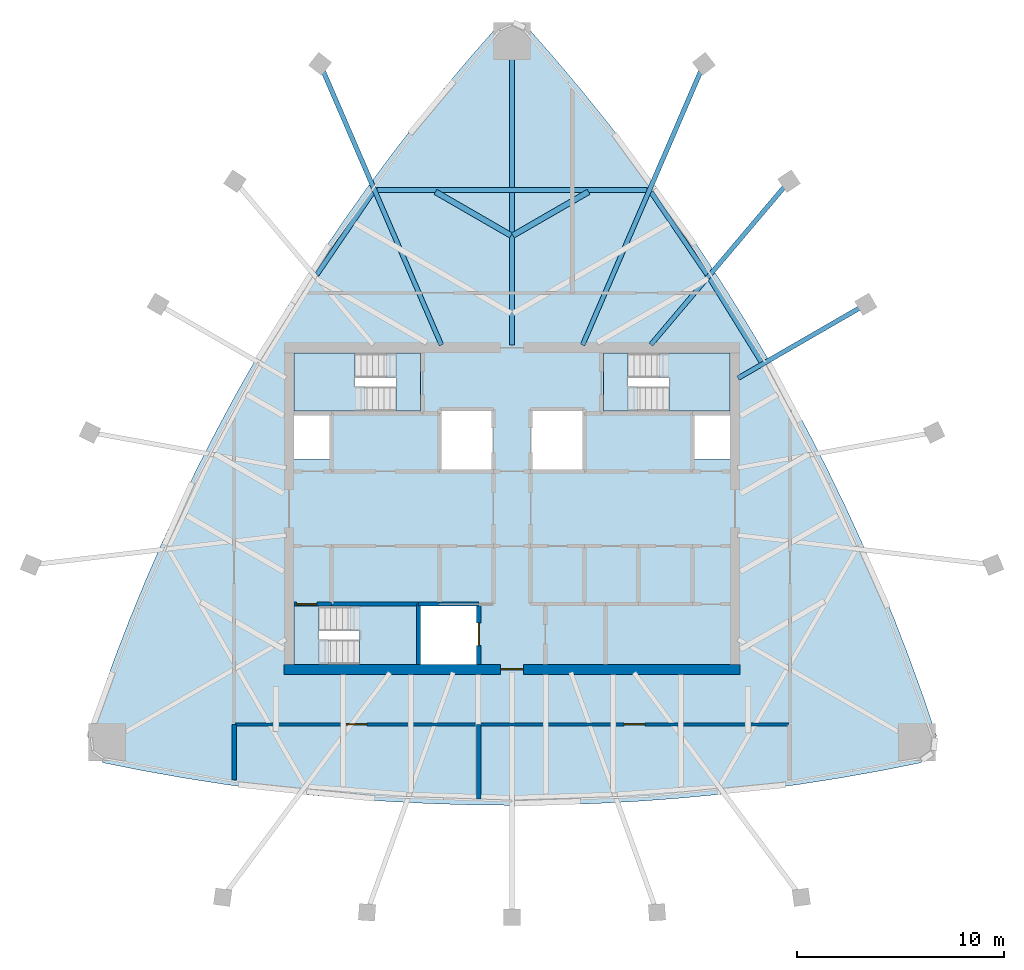
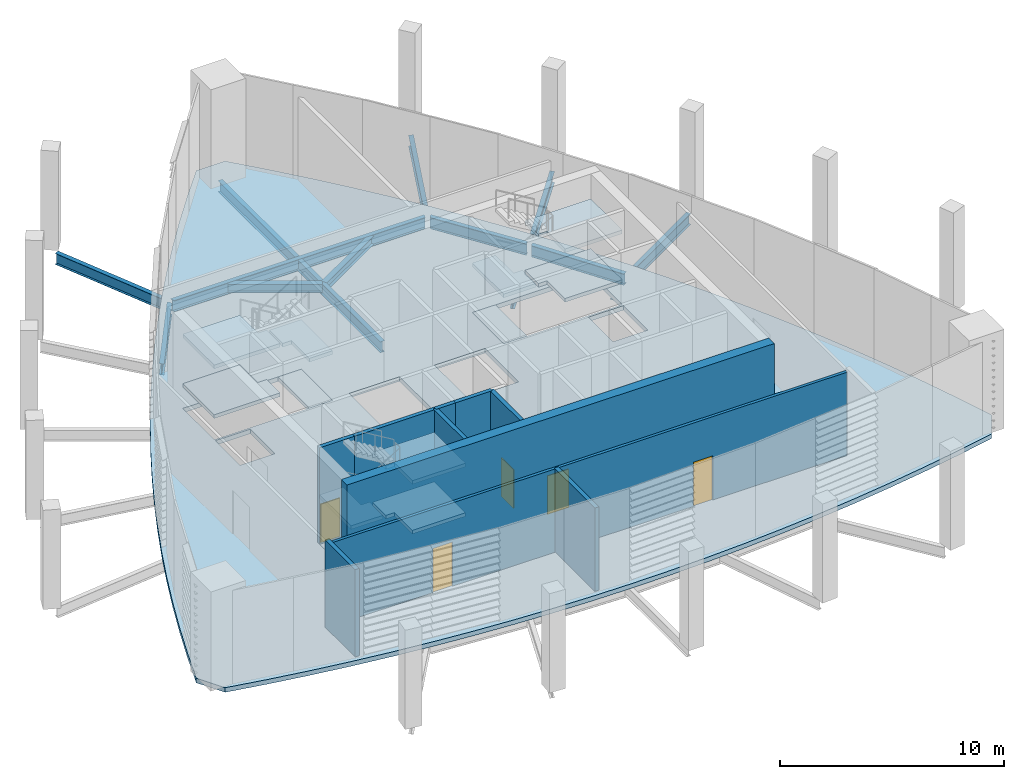
# One storey, part 2 of 8: 13 slabs, 11 beams, 10 walls, 5 doors, 5 openings, 3 elements without a shape of their own.
"""IFC4 building model written with IfcOpenShell, lengths in metres."""

from ifc_helpers import new_model, si_unit, direction, frame, frame_2d, origin, origin_2d, place, context, subcontext, project, spatial, polyline, rectangle, i_section, outline, extrude, clip, halfspace, material, layer, layer_set, material_profile, profile_set, type_object, element, fill, aggregate, save


model = new_model("IFC4")

# Units and contexts
model_context = context("Model", 3, precision=1e-05, world=origin(), true_north=direction((0.0, 1.0)))
body_context = subcontext(model_context, "Body", "Model", "MODEL_VIEW")
ifc_project = project(units=[si_unit("LENGTHUNIT", "METRE"), si_unit("AREAUNIT", "SQUARE_METRE"), si_unit("VOLUMEUNIT", "CUBIC_METRE"), si_unit("PLANEANGLEUNIT", "RADIAN"), si_unit("MASSUNIT", "GRAM", prefix="KILO")], contexts=[model_context])

# Site, building, storey
site_placement = place(None, origin())
site = spatial("IfcSite", under=ifc_project, at=site_placement, CompositionType="ELEMENT")
building_placement = place(site_placement, origin())
building = spatial("IfcBuilding", under=site, at=building_placement, Name="Sierra Prisma Convention Tower", CompositionType="ELEMENT")
storey_placement = place(building_placement, frame((0.0, 0.0, 350.199951171875)))
storey = spatial("IfcBuildingStorey", under=building, at=storey_placement, Name="L78", CompositionType="ELEMENT", Elevation=350.199951171875)

# Beams
ifc_material_1 = material(Name="Steel ASTM A992 Gr 50", Category="steel")
ifc_material_profile_1 = material_profile(ifc_material_1, i_section(OverallWidth=0.280029296875, OverallDepth=0.462890625, WebThickness=0.0107421875, FlangeThickness=0.017333984375, at=origin_2d()), Name="W460x113")
ifc_profile_set_1 = profile_set([ifc_material_profile_1], Name="Steel ASTM A992 Gr 50")
beam_type_1 = type_object("IfcBeamType", Name="Plant floor joist W460x113", PredefinedType="JOIST", material=ifc_profile_set_1)
for number, where, z_axis, x_axis, name in (
    (1, (3.689208984375, 15.27392578125, -0.4814453125), (-0.866034836963, -0.4999836609, 0.0), (0.4999836609, -0.866034836963, 0.0), "Floor joist L78 NE10"),
    (2, (-3.689208984375, 15.27392578125, -0.4814453125), (0.866034836963, -0.4999836609, 0.0), (0.4999836609, 0.866034836963, 0.0), "Floor joist L78 NW03"),
):
    element("IfcBeam", number, at=place(storey_placement, frame(where, z_axis=z_axis, x_axis=x_axis)), inside=storey, type_object=beam_type_1, Name=name, PredefinedType="JOIST", context=body_context, shape_type="SweptSolid", body=[
        extrude(i_section(OverallWidth=0.280029296875, OverallDepth=0.462890625, WebThickness=0.0107421875, FlangeThickness=0.017333984375, at=origin_2d()), origin(), (0.0, 0.0, 1.0), 4.207275390625),
    ])
ifc_material_2 = material(Name="Steel ASTM A992 Gr 50", Category="steel")
ifc_material_profile_2 = material_profile(ifc_material_2, i_section(OverallWidth=0.22802734375, OverallDepth=0.60302734375, WebThickness=0.010498046875, FlangeThickness=0.014892578125, at=origin_2d()), Name="W610x101")
ifc_profile_set_2 = profile_set([ifc_material_profile_2], Name="Steel ASTM A992 Gr 50")
beam_type_2 = type_object("IfcBeamType", Name="Radial girder W610x101", PredefinedType="BEAM", material=ifc_profile_set_2)
beam_1_placement = place(storey_placement, frame((16.818115234375, 9.7099609375, -0.551513671875), z_axis=(-0.866022087412, -0.500005744082, 0.0), x_axis=(0.500005744082, -0.866022087412, 0.0)))
element("IfcBeam", 3, at=beam_1_placement, inside=storey, type_object=beam_type_2, Name="Radial girder L78 PC-NE-3", PredefinedType="BEAM", context=body_context, shape_type="SweptSolid", body=[
    extrude(i_section(OverallWidth=0.22802734375, OverallDepth=0.60302734375, WebThickness=0.010498046875, FlangeThickness=0.014892578125, at=origin_2d()), origin(), (0.0, 0.0, 1.0), 6.83837890625),
])
beam_2_placement = place(storey_placement, frame((13.16552734375, 15.555908203125, -0.551513671875), z_axis=(-0.646028534804, -0.76331325956, 0.0), x_axis=(0.76331325956, -0.646028534804, 0.0)))
element("IfcBeam", 4, at=beam_2_placement, inside=storey, type_object=beam_type_2, Name="Radial girder L78 PC-NE-4", PredefinedType="BEAM", context=body_context, shape_type="SweptSolid", body=[
    extrude(i_section(OverallWidth=0.22802734375, OverallDepth=0.60302734375, WebThickness=0.010498046875, FlangeThickness=0.014892578125, at=origin_2d()), origin(), (0.0, 0.0, 1.0), 10.018798828125),
])
beam_3_placement = place(storey_placement, frame((9.117919921875, 21.13427734375, -0.551513671875), z_axis=(-0.396140636376, -0.918189847587, 0.0), x_axis=(0.918189847587, -0.396140636376, 0.0)))
element("IfcBeam", 5, at=beam_3_placement, inside=storey, type_object=beam_type_2, Name="Radial girder L78 PC-NE-5", PredefinedType="BEAM", context=body_context, shape_type="SweptSolid", body=[
    extrude(i_section(OverallWidth=0.22802734375, OverallDepth=0.60302734375, WebThickness=0.010498046875, FlangeThickness=0.014892578125, at=origin_2d()), origin(), (0.0, 0.0, 1.0), 14.424560546875),
])
beam_4_placement = place(storey_placement, frame((0.0, 22.3525390625, -0.551513671875), z_axis=(0.0, -1.0, 0.0), x_axis=(1.0, 0.0, 0.0)))
element("IfcBeam", 6, at=beam_4_placement, inside=storey, type_object=beam_type_2, Name="Radial girder L78 MC-N", PredefinedType="BEAM", context=body_context, shape_type="SweptSolid", body=[
    extrude(i_section(OverallWidth=0.22802734375, OverallDepth=0.60302734375, WebThickness=0.010498046875, FlangeThickness=0.014892578125, at=origin_2d()), origin(), (0.0, 0.0, 1.0), 14.47265625),
])
beam_5_placement = place(storey_placement, frame((-9.117919921875, 21.13427734375, -0.551513671875), z_axis=(0.396140636376, -0.918189847587, 0.0), x_axis=(0.918189847587, 0.396140636376, 0.0)))
element("IfcBeam", 7, at=beam_5_placement, inside=storey, type_object=beam_type_2, Name="Radial girder L78 PC-NW-1", PredefinedType="BEAM", context=body_context, shape_type="SweptSolid", body=[
    extrude(i_section(OverallWidth=0.22802734375, OverallDepth=0.60302734375, WebThickness=0.010498046875, FlangeThickness=0.014892578125, at=origin_2d()), origin(), (0.0, 0.0, 1.0), 14.424560546875),
])
ifc_material_3 = material(Name="Steel ASTM A992 Gr 50", Category="steel")
ifc_material_profile_3 = material_profile(ifc_material_3, i_section(OverallWidth=0.22998046875, OverallDepth=0.616943359375, WebThickness=0.01318359375, FlangeThickness=0.022216796875, at=origin_2d()), Name="W610x140")
ifc_profile_set_3 = profile_set([ifc_material_profile_3], Name="Steel ASTM A992 Gr 50")
beam_type_3 = type_object("IfcBeamType", Name="Spandrel beam W610x140", PredefinedType="BEAM", material=ifc_profile_set_3)
beam_6_placement = place(storey_placement, frame((12.026123046875, 7.0634765625, -0.558349609375), z_axis=(-0.526719564314, 0.850039117082, 0.0), x_axis=(-0.850039117082, -0.526719564314, 0.0)))
element("IfcBeam", 8, at=beam_6_placement, inside=storey, type_object=beam_type_3, Name="Crown edge beam L78-09", PredefinedType="BEAM", context=body_context, shape_type="SweptSolid", body=[
    clip(clip(extrude(i_section(OverallWidth=0.22998046875, OverallDepth=0.616943359375, WebThickness=0.01318359375, FlangeThickness=0.022216796875, at=origin_2d()), origin(), (0.0, 0.0, 1.0), 4.74365234375), halfspace(frame((-0.00341796875, 0.0, 0.009765625), z_axis=(-0.031132953279, 0.0, 0.99951525212), x_axis=(0.99951525212, 0.0, 0.031132953279)), True)), halfspace(frame((-0.03515625, 0.0, 4.7451171875), z_axis=(-0.3085775596, 0.0, -0.951199185088), x_axis=(0.951199185088, 0.0, -0.3085775596)), True)),
])
beam_7_placement = place(storey_placement, frame((9.40869140625, 11.278564453125, -0.558349609375), z_axis=(-0.562628854747, 0.826709605488, 0.0), x_axis=(-0.826709605488, -0.562628854747, 0.0)))
element("IfcBeam", 9, at=beam_7_placement, inside=storey, type_object=beam_type_3, Name="Crown edge beam L78-10", PredefinedType="BEAM", context=body_context, shape_type="SweptSolid", body=[
    clip(clip(extrude(i_section(OverallWidth=0.22998046875, OverallDepth=0.616943359375, WebThickness=0.01318359375, FlangeThickness=0.022216796875, at=origin_2d()), origin(), (0.0, 0.0, 1.0), 4.816650390625), halfspace(frame((0.0302734375, 0.0, 0.00146484375), z_axis=(0.267571502455, 0.0, 0.963538007073), x_axis=(0.963538007073, 0.0, -0.267571502455)), True)), halfspace(frame((-0.061279296875, 0.0, 4.845458984375), z_axis=(-0.536204519273, 0.0, -0.844088095824), x_axis=(0.844088095824, 0.0, -0.536204519273)), True)),
])
beam_8_placement = place(storey_placement, frame((6.51416015625, 15.364013671875, -0.558349609375), z_axis=(-1.0, 0.0, 0.0), x_axis=(0.0, -1.0, 0.0)))
element("IfcBeam", 10, at=beam_8_placement, inside=storey, type_object=beam_type_3, Name="Crown edge beam L78-11", PredefinedType="BEAM", context=body_context, shape_type="SweptSolid", body=[
    clip(clip(extrude(i_section(OverallWidth=0.22998046875, OverallDepth=0.616943359375, WebThickness=0.01318359375, FlangeThickness=0.022216796875, at=origin_2d()), origin(), (0.0, 0.0, 1.0), 13.0283203125), halfspace(frame((-0.045166015625, 0.0, -0.009521484375), z_axis=(-0.396131602107, 0.0, 0.918193745248), x_axis=(0.918193745248, 0.0, 0.396131602107)), True)), halfspace(frame((-0.045166015625, 0.0, 13.037841796875), z_axis=(-0.396131602107, 0.0, -0.918193745248), x_axis=(0.918193745248, 0.0, -0.396131602107)), True)),
])
beam_9_placement = place(storey_placement, frame((-6.69873046875, 15.260498046875, -0.558349609375), z_axis=(-0.562628854747, -0.826709605488, 0.0), x_axis=(0.826709605488, -0.562628854747, 0.0)))
element("IfcBeam", 11, at=beam_9_placement, inside=storey, type_object=beam_type_3, Name="Crown edge beam L78-12", PredefinedType="BEAM", context=body_context, shape_type="SweptSolid", body=[
    clip(clip(extrude(i_section(OverallWidth=0.22998046875, OverallDepth=0.616943359375, WebThickness=0.01318359375, FlangeThickness=0.022216796875, at=origin_2d()), origin(), (0.0, 0.0, 1.0), 4.816650390625), halfspace(frame((-0.061279296875, 0.0, -0.02880859375), z_axis=(-0.536204519273, 0.0, 0.844088095824), x_axis=(0.844088095824, 0.0, 0.536204519273)), True)), halfspace(frame((0.0302734375, 0.0, 4.815185546875), z_axis=(0.267571502455, 0.0, -0.963538007073), x_axis=(0.963538007073, 0.0, 0.267571502455)), True)),
])

# Slab
ifc_material_4 = material(Name="Concrete C35/45", Category="concrete")
ifc_layer_1 = layer(ifc_material_4, 0.25)
ifc_layer_set_1 = layer_set([ifc_layer_1], Name="Convention floor slab 250")
slab_type_1 = type_object("IfcSlabType", Name="Convention floor slab 250", PredefinedType="FLOOR", material=ifc_layer_set_1)
slab_1_placement = place(storey_placement, frame((0.0, 0.0, -0.25)))
element("IfcSlab", 12, at=slab_1_placement, inside=storey, type_object=slab_type_1, Name="Floor slab L78 floor", PredefinedType="FLOOR", context=body_context, shape_type="SweptSolid", body=[
    extrude(outline(polyline([(-19.719970703125, -12.244873046875), (-17.772216796875, -12.634033203125), (-15.81689453125, -12.98291015625), (-13.854736328125, -13.291015625), (-11.88671875, -13.558349609375), (-9.913330078125, -13.784912109375), (-7.935791015625, -13.97021484375), (-5.954833984375, -14.114501953125), (-3.971435546875, -14.217529296875), (-1.986083984375, -14.279296875), (0.0, -14.300048828125), (1.986083984375, -14.279296875), (3.971435546875, -14.217529296875), (5.954833984375, -14.114501953125), (7.935791015625, -13.97021484375), (9.913330078125, -13.784912109375), (11.88671875, -13.558349609375), (13.854736328125, -13.291015625), (15.81689453125, -12.98291015625), (17.772216796875, -12.634033203125), (19.719970703125, -12.244873046875), (20.46435546875, -10.95556640625), (19.82763671875, -9.07421875), (19.152099609375, -7.206298828125), (18.437744140625, -5.35302734375), (17.685302734375, -3.514892578125), (16.894775390625, -1.69287109375), (16.06640625, 0.112548828125), (15.200927734375, 1.900146484375), (14.29833984375, 3.66943359375), (13.359375, 5.419677734375), (12.38427734375, 7.14990234375), (11.373291015625, 8.859619140625), (10.3271484375, 10.548095703125), (9.24609375, 12.21435546875), (8.130615234375, 13.857666015625), (6.981201171875, 15.4775390625), (5.798583984375, 17.0732421875), (4.5830078125, 18.64404296875), (3.335205078125, 20.189453125), (2.055419921875, 21.708251953125), (0.744384765625, 23.200439453125), (-0.744384765625, 23.200439453125), (-2.055419921875, 21.708251953125), (-3.335205078125, 20.189453125), (-4.5830078125, 18.64404296875), (-5.798583984375, 17.0732421875), (-6.981201171875, 15.4775390625), (-8.130615234375, 13.857666015625), (-9.24609375, 12.21435546875), (-10.3271484375, 10.548095703125), (-11.373291015625, 8.859619140625), (-12.38427734375, 7.14990234375), (-13.359375, 5.419677734375), (-14.29833984375, 3.66943359375), (-15.200927734375, 1.900146484375), (-16.06640625, 0.112548828125), (-16.894775390625, -1.69287109375), (-17.685302734375, -3.514892578125), (-18.437744140625, -5.35302734375), (-19.152099609375, -7.206298828125), (-19.82763671875, -9.07421875), (-20.46435546875, -10.95556640625), (-19.719970703125, -12.244873046875)]), holes=[polyline([(-4.60009765625, -4.699951171875), (-4.60009765625, -7.5), (-10.5, -7.5), (-10.5, -4.699951171875), (-4.60009765625, -4.699951171875)]), polyline([(-1.60009765625, -4.60009765625), (-1.60009765625, -7.5), (-4.5, -7.5), (-4.5, -4.60009765625), (-1.60009765625, -4.60009765625)]), polyline([(-0.89990234375, 4.800048828125), (-0.89990234375, 1.800048828125), (-3.5, 1.800048828125), (-3.5, 4.800048828125), (-0.89990234375, 4.800048828125)]), polyline([(3.5, 4.800048828125), (3.5, 1.800048828125), (0.89990234375, 1.800048828125), (0.89990234375, 4.800048828125), (3.5, 4.800048828125)]), polyline([(-8.699951171875, 4.60009765625), (-8.699951171875, 2.39990234375), (-10.5, 2.39990234375), (-10.5, 4.60009765625), (-8.699951171875, 4.60009765625)]), polyline([(10.5, 4.60009765625), (10.5, 2.39990234375), (8.699951171875, 2.39990234375), (8.699951171875, 4.60009765625), (10.5, 4.60009765625)]), polyline([(-4.39990234375, 7.5), (-4.39990234375, 4.699951171875), (-10.5, 4.699951171875), (-10.5, 7.5), (-4.39990234375, 7.5)]), polyline([(10.5, 7.5), (10.5, 4.699951171875), (4.39990234375, 4.699951171875), (4.39990234375, 7.5), (10.5, 7.5)])]), origin(), (0.0, 0.0, 1.0), 0.25),
])

# Stair, slabs
ifc_material_5 = material(Name="Concrete C30/37", Category="concrete")
stair_type = type_object("IfcStairType", Name="Stair dog-leg 1200 RC", PredefinedType="HALF_TURN_STAIR", material=ifc_material_5)
stair_1_placement = place(storey_placement, origin())
stair_1 = element("IfcStair", 13, at=stair_1_placement, inside=storey, type_object=stair_type, Name="L78 S1", PredefinedType="HALF_TURN_STAIR")
ifc_material_6 = material(Name="Concrete C35/45", Category="concrete")
ifc_layer_2 = layer(ifc_material_6, 0.199951171875)
ifc_layer_set_2 = layer_set([ifc_layer_2], Name="Stair landing slab")
slab_type_2 = type_object("IfcSlabType", Name="Stair landing slab", PredefinedType="LANDING", material=ifc_layer_set_2)
slab_2_placement = place(storey_placement, frame((0.0, 0.0, 1.150146484375)))
slab_2 = element("IfcSlab", 14, at=slab_2_placement, type_object=slab_type_2, Name="S1 landing 1", PredefinedType="LANDING", context=body_context, shape_type="SweptSolid", body=[
    extrude(outline(polyline([(-4.60009765625, -4.699951171875), (-4.60009765625, -7.5), (-7.342041015625, -7.5), (-7.342041015625, -5.89990234375), (-7.7900390625, -5.89990234375), (-7.7900390625, -4.699951171875), (-4.60009765625, -4.699951171875)])), origin(), (0.0, 0.0, 1.0), 0.199951171875),
])
slab_3_placement = place(storey_placement, frame((0.0, 0.0, 2.5)))
slab_3 = element("IfcSlab", 15, at=slab_3_placement, type_object=slab_type_2, Name="S1 landing 2", PredefinedType="LANDING", context=body_context, shape_type="SweptSolid", body=[
    extrude(outline(polyline([(-10.5, -7.5), (-10.5, -4.699951171875), (-9.298095703125, -4.699951171875), (-9.298095703125, -6.300048828125), (-8.85009765625, -6.300048828125), (-8.85009765625, -7.5), (-10.5, -7.5)])), origin(), (0.0, 0.0, 1.0), 0.199951171875),
])
slab_4_placement = place(storey_placement, frame((0.0, 0.0, 3.85009765625)))
slab_4 = element("IfcSlab", 16, at=slab_4_placement, type_object=slab_type_2, Name="S1 landing 3", PredefinedType="LANDING", context=body_context, shape_type="SweptSolid", body=[
    extrude(outline(polyline([(-4.60009765625, -4.699951171875), (-4.60009765625, -7.5), (-7.342041015625, -7.5), (-7.342041015625, -5.89990234375), (-7.7900390625, -5.89990234375), (-7.7900390625, -4.699951171875), (-4.60009765625, -4.699951171875)])), origin(), (0.0, 0.0, 1.0), 0.199951171875),
])
aggregate(stair_1, [slab_2, slab_3, slab_4])

# Slab
slab_5_placement = place(storey_placement, frame((0.0, 0.0, -0.199951171875)))
element("IfcSlab", 17, at=slab_5_placement, inside=storey, type_object=slab_type_2, Name="S1 floor landing L78", PredefinedType="LANDING", context=body_context, shape_type="SweptSolid", body=[
    extrude(outline(polyline([(-10.5, -7.5), (-9.298095703125, -7.5), (-9.298095703125, -4.699951171875), (-10.5, -4.699951171875), (-10.5, -7.5)])), origin(), (0.0, 0.0, 1.0), 0.199951171875),
])

# Stair, slabs
stair_2_placement = place(storey_placement, origin())
stair_2 = element("IfcStair", 18, at=stair_2_placement, inside=storey, type_object=stair_type, Name="L78 S3", PredefinedType="HALF_TURN_STAIR")
slab_6_placement = place(storey_placement, frame((0.0, 0.0, 1.150146484375)))
slab_6 = element("IfcSlab", 19, at=slab_6_placement, type_object=slab_type_2, Name="S3 landing 1", PredefinedType="LANDING", context=body_context, shape_type="SweptSolid", body=[
    extrude(outline(polyline([(-7.110107421875, 5.89990234375), (-7.110107421875, 4.699951171875), (-10.5, 4.699951171875), (-10.5, 7.5), (-7.55810546875, 7.5), (-7.55810546875, 5.89990234375), (-7.110107421875, 5.89990234375)])), origin(), (0.0, 0.0, 1.0), 0.199951171875),
])
slab_7_placement = place(storey_placement, frame((0.0, 0.0, 2.5)))
slab_7 = element("IfcSlab", 20, at=slab_7_placement, type_object=slab_type_2, Name="S3 landing 2", PredefinedType="LANDING", context=body_context, shape_type="SweptSolid", body=[
    extrude(outline(polyline([(-4.39990234375, 7.5), (-4.39990234375, 4.699951171875), (-5.60205078125, 4.699951171875), (-5.60205078125, 6.300048828125), (-6.050048828125, 6.300048828125), (-6.050048828125, 7.5), (-4.39990234375, 7.5)])), origin(), (0.0, 0.0, 1.0), 0.199951171875),
])
slab_8_placement = place(storey_placement, frame((0.0, 0.0, 3.85009765625)))
slab_8 = element("IfcSlab", 21, at=slab_8_placement, type_object=slab_type_2, Name="S3 landing 3", PredefinedType="LANDING", context=body_context, shape_type="SweptSolid", body=[
    extrude(outline(polyline([(-7.110107421875, 5.89990234375), (-7.110107421875, 4.699951171875), (-10.5, 4.699951171875), (-10.5, 7.5), (-7.55810546875, 7.5), (-7.55810546875, 5.89990234375), (-7.110107421875, 5.89990234375)])), origin(), (0.0, 0.0, 1.0), 0.199951171875),
])
aggregate(stair_2, [slab_6, slab_7, slab_8])

# Slab
slab_9_placement = place(storey_placement, frame((0.0, 0.0, -0.199951171875)))
element("IfcSlab", 22, at=slab_9_placement, inside=storey, type_object=slab_type_2, Name="S3 floor landing L78", PredefinedType="LANDING", context=body_context, shape_type="SweptSolid", body=[
    extrude(outline(polyline([(-4.39990234375, 7.5), (-5.60205078125, 7.5), (-5.60205078125, 4.699951171875), (-4.39990234375, 4.699951171875), (-4.39990234375, 7.5)])), origin(), (0.0, 0.0, 1.0), 0.199951171875),
])

# Stair, slabs
stair_3_placement = place(storey_placement, origin())
stair_3 = element("IfcStair", 23, at=stair_3_placement, inside=storey, type_object=stair_type, Name="L78 S4", PredefinedType="HALF_TURN_STAIR")
slab_10_placement = place(storey_placement, frame((0.0, 0.0, 1.150146484375)))
slab_10 = element("IfcSlab", 24, at=slab_10_placement, type_object=slab_type_2, Name="S4 landing 1", PredefinedType="LANDING", context=body_context, shape_type="SweptSolid", body=[
    extrude(outline(polyline([(10.5, 7.5), (10.5, 4.699951171875), (7.55810546875, 4.699951171875), (7.55810546875, 6.300048828125), (7.110107421875, 6.300048828125), (7.110107421875, 7.5), (10.5, 7.5)])), origin(), (0.0, 0.0, 1.0), 0.199951171875),
])
slab_11_placement = place(storey_placement, frame((0.0, 0.0, 2.5)))
slab_11 = element("IfcSlab", 25, at=slab_11_placement, type_object=slab_type_2, Name="S4 landing 2", PredefinedType="LANDING", context=body_context, shape_type="SweptSolid", body=[
    extrude(outline(polyline([(4.39990234375, 4.699951171875), (4.39990234375, 7.5), (5.60205078125, 7.5), (5.60205078125, 5.89990234375), (6.050048828125, 5.89990234375), (6.050048828125, 4.699951171875), (4.39990234375, 4.699951171875)])), origin(), (0.0, 0.0, 1.0), 0.199951171875),
])
slab_12_placement = place(storey_placement, frame((0.0, 0.0, 3.85009765625)))
slab_12 = element("IfcSlab", 26, at=slab_12_placement, type_object=slab_type_2, Name="S4 landing 3", PredefinedType="LANDING", context=body_context, shape_type="SweptSolid", body=[
    extrude(outline(polyline([(10.5, 7.5), (10.5, 4.699951171875), (7.55810546875, 4.699951171875), (7.55810546875, 6.300048828125), (7.110107421875, 6.300048828125), (7.110107421875, 7.5), (10.5, 7.5)])), origin(), (0.0, 0.0, 1.0), 0.199951171875),
])
aggregate(stair_3, [slab_10, slab_11, slab_12])

# Slab
slab_13_placement = place(storey_placement, frame((0.0, 0.0, -0.199951171875)))
element("IfcSlab", 27, at=slab_13_placement, inside=storey, type_object=slab_type_2, Name="S4 floor landing L78", PredefinedType="LANDING", context=body_context, shape_type="SweptSolid", body=[
    extrude(outline(polyline([(4.39990234375, 4.699951171875), (5.60205078125, 4.699951171875), (5.60205078125, 7.5), (4.39990234375, 7.5), (4.39990234375, 4.699951171875)])), origin(), (0.0, 0.0, 1.0), 0.199951171875),
])

# Wall, opening, door
ifc_material_7 = material(Name="Concrete C30/37", Category="concrete")
ifc_layer_3 = layer(ifc_material_7, 0.199951171875)
ifc_layer_set_3 = layer_set([ifc_layer_3], Name="Core wall RC 200 C30/37")
wall_type_1 = type_object("IfcWallType", Name="Core wall RC 200 C30/37", PredefinedType="SOLIDWALL", material=ifc_layer_set_3)
wall_1_placement = place(storey_placement, frame((-10.5, -4.60009765625, 0.0), z_axis=(0.0, 0.0, 1.0), x_axis=(1.0, 0.0, 0.0)))
wall_1 = element("IfcWall", 28, at=wall_1_placement, inside=storey, type_object=wall_type_1, Name="Core wall L78 1", PredefinedType="SOLIDWALL", context=body_context, shape_type="SweptSolid", body=[
    extrude(rectangle(XDim=1.800048828125, YDim=0.199951171875, at=frame_2d((0.89990234375, 0.0))), origin(), (0.0, 0.0, 1.0), 5.25),
])
opening_1_placement = place(wall_1_placement, frame((0.10009765625, 0.0, 0.0)))
opening_1 = element("IfcOpeningElement", 29, at=opening_1_placement, cuts=wall_1, Name="Opening L78-D011", PredefinedType="OPENING", context=body_context, shape_type="SweptSolid", body=[
    extrude(rectangle(XDim=1.0, YDim=2.10009765625, at=frame_2d((0.5, 1.050048828125))), frame((0.0, 0.10009765625, 0.0), z_axis=(0.0, -1.0, 0.0), x_axis=(1.0, 0.0, 0.0)), (0.0, 0.0, 1.0), 0.199951171875),
])
ifc_material_8 = material(Name="Steel fire door leaf", Category="steel")
door_type_1 = type_object("IfcDoorType", Name="Door 1000x2100 FD90S", OperationType="SINGLE_SWING_LEFT", PredefinedType="DOOR", material=ifc_material_8)
door_1_placement = place(opening_1_placement, origin())
door_1 = element("IfcDoor", 30, at=door_1_placement, inside=storey, type_object=door_type_1, Name="Door L78 17", OperationType="SINGLE_SWING_LEFT", OverallHeight=2.10009765625, OverallWidth=1.0, PredefinedType="DOOR", context=body_context, shape_type="SweptSolid", body=[
    extrude(rectangle(XDim=1.0, YDim=2.10009765625, at=frame_2d((0.5, 1.050048828125))), frame((0.0, 0.02490234375, 0.0), z_axis=(0.0, -1.0, 0.0), x_axis=(1.0, 0.0, 0.0)), (0.0, 0.0, 1.0), 0.050048828125),
])
fill(opening_1, door_1)

# Walls
wall_2_placement = place(storey_placement, frame((-8.699951171875, -4.60009765625, 0.0), z_axis=(0.0, 0.0, 1.0), x_axis=(1.0, 0.0, 0.0)))
element("IfcWall", 31, at=wall_2_placement, inside=storey, type_object=wall_type_1, Name="Core wall L78 5", PredefinedType="SOLIDWALL", context=body_context, shape_type="SweptSolid", body=[
    extrude(rectangle(XDim=4.199951171875, YDim=0.199951171875, at=frame_2d((2.10009765625, 0.0))), origin(), (0.0, 0.0, 1.0), 5.25),
])
wall_3_placement = place(storey_placement, frame((-4.5, -4.60009765625, 0.0), z_axis=(0.0, 0.0, 1.0), x_axis=(0.0, -1.0, 0.0)))
element("IfcWall", 32, at=wall_3_placement, inside=storey, type_object=wall_type_1, Name="Core wall L78 11", PredefinedType="SOLIDWALL", context=body_context, shape_type="SweptSolid", body=[
    extrude(rectangle(XDim=2.89990234375, YDim=0.199951171875, at=frame_2d((1.449951171875, 0.0))), origin(), (0.0, 0.0, 1.0), 5.25),
])
wall_4_placement = place(storey_placement, frame((-4.5, -4.60009765625, 0.0), z_axis=(0.0, 0.0, 1.0), x_axis=(1.0, 0.0, 0.0)))
element("IfcWall", 33, at=wall_4_placement, inside=storey, type_object=wall_type_1, Name="Core wall L78 12", PredefinedType="SOLIDWALL", context=body_context, shape_type="SweptSolid", body=[
    extrude(rectangle(XDim=1.0, YDim=0.199951171875, at=frame_2d((0.5, 0.0))), origin(), (0.0, 0.0, 1.0), 5.25),
])
wall_5_placement = place(storey_placement, frame((-3.5, -4.60009765625, 0.0), z_axis=(0.0, 0.0, 1.0), x_axis=(1.0, 0.0, 0.0)))
element("IfcWall", 34, at=wall_5_placement, inside=storey, type_object=wall_type_1, Name="Core wall L78 15", PredefinedType="SOLIDWALL", context=body_context, shape_type="SweptSolid", body=[
    extrude(rectangle(XDim=1.89990234375, YDim=0.199951171875, at=frame_2d((0.949951171875, 0.0))), origin(), (0.0, 0.0, 1.0), 5.25),
])

# Wall, opening, door
wall_6_placement = place(storey_placement, frame((-1.60009765625, -7.5, 0.0), z_axis=(0.0, 0.0, 1.0), x_axis=(0.0, 1.0, 0.0)))
wall_6 = element("IfcWall", 35, at=wall_6_placement, inside=storey, type_object=wall_type_1, Name="Core wall L78 23", PredefinedType="SOLIDWALL", context=body_context, shape_type="SweptSolid", body=[
    extrude(rectangle(XDim=2.89990234375, YDim=0.199951171875, at=frame_2d((1.449951171875, 0.0))), origin(), (0.0, 0.0, 1.0), 5.25),
])
opening_2_placement = place(wall_6_placement, frame((0.89990234375, 0.0, 0.0)))
opening_2 = element("IfcOpeningElement", 36, at=opening_2_placement, cuts=wall_6, Name="Opening L78-D003", PredefinedType="OPENING", context=body_context, shape_type="SweptSolid", body=[
    extrude(rectangle(XDim=1.10009765625, YDim=2.10009765625, at=frame_2d((0.550048828125, 1.050048828125))), frame((0.0, 0.10009765625, 0.0), z_axis=(0.0, -1.0, 0.0), x_axis=(1.0, 0.0, 0.0)), (0.0, 0.0, 1.0), 0.199951171875),
])
ifc_material_9 = material(Name="Steel fire door leaf", Category="steel")
door_type_2 = type_object("IfcDoorType", Name="Door 1100x2100 EI 90 sliding lift landing", OperationType="SLIDING_TO_LEFT", PredefinedType="DOOR", material=ifc_material_9)
door_2_placement = place(opening_2_placement, origin())
door_2 = element("IfcDoor", 37, at=door_2_placement, inside=storey, type_object=door_type_2, Name="Door L78 9", OperationType="SLIDING_TO_LEFT", OverallHeight=2.10009765625, OverallWidth=1.10009765625, PredefinedType="DOOR", context=body_context, shape_type="SweptSolid", body=[
    extrude(rectangle(XDim=1.10009765625, YDim=2.10009765625, at=frame_2d((0.550048828125, 1.050048828125))), frame((0.0, 0.02490234375, 0.0), z_axis=(0.0, -1.0, 0.0), x_axis=(1.0, 0.0, 0.0)), (0.0, 0.0, 1.0), 0.050048828125),
])
fill(opening_2, door_2)

ifc_material_10 = material(Name="Concrete C50/60", Category="concrete")
ifc_layer_4 = layer(ifc_material_10, 0.5)
ifc_layer_set_4 = layer_set([ifc_layer_4], Name="Core wall RC 500 C50/60")
wall_type_2 = type_object("IfcWallType", Name="Core wall RC 500 C50/60", PredefinedType="SHEAR", material=ifc_layer_set_4)
wall_7_placement = place(storey_placement, frame((-11.0, -7.75, 0.0), z_axis=(0.0, 0.0, 1.0), x_axis=(1.0, 0.0, 0.0)))
wall_7 = element("IfcWall", 38, at=wall_7_placement, inside=storey, type_object=wall_type_2, Name="Core wall S L78", PredefinedType="SHEAR", context=body_context, shape_type="SweptSolid", body=[
    extrude(rectangle(XDim=22.0, YDim=0.5, at=frame_2d((11.0, 0.0))), origin(), (0.0, 0.0, 1.0), 5.400146484375),
])
opening_3_placement = place(wall_7_placement, frame((10.449951171875, 0.0, 0.0)))
opening_3 = element("IfcOpeningElement", 39, at=opening_3_placement, cuts=wall_7, Name="Opening L78-D032", PredefinedType="OPENING", context=body_context, shape_type="SweptSolid", body=[
    extrude(rectangle(XDim=1.10009765625, YDim=2.10009765625, at=frame_2d((0.550048828125, 1.050048828125))), frame((0.0, 0.25, 0.0), z_axis=(0.0, -1.0, 0.0), x_axis=(1.0, 0.0, 0.0)), (0.0, 0.0, 1.0), 0.5),
])
ifc_material_11 = material(Name="Steel fire door leaf", Category="steel")
door_type_3 = type_object("IfcDoorType", Name="Door 1100x2100 FD30S", OperationType="SINGLE_SWING_LEFT", PredefinedType="DOOR", material=ifc_material_11)
door_3_placement = place(opening_3_placement, origin())
door_3 = element("IfcDoor", 40, at=door_3_placement, inside=storey, type_object=door_type_3, Name="Door L78 33", OperationType="SINGLE_SWING_RIGHT", OverallHeight=2.10009765625, OverallWidth=1.10009765625, PredefinedType="DOOR", context=body_context, shape_type="SweptSolid", body=[
    extrude(rectangle(XDim=1.10009765625, YDim=2.10009765625, at=frame_2d((0.550048828125, 1.050048828125))), frame((0.0, 0.02490234375, 0.0), z_axis=(0.0, -1.0, 0.0), x_axis=(1.0, 0.0, 0.0)), (0.0, 0.0, 1.0), 0.050048828125),
])
fill(opening_3, door_3)

# Wall, openings, doors
ifc_material_12 = material(Name="Gypsum board partition", Category="gypsum")
ifc_layer_5 = layer(ifc_material_12, 0.14990234375)
ifc_layer_set_5 = layer_set([ifc_layer_5], Name="Corridor wall 150 gypsum EI 60")
wall_type_3 = type_object("IfcWallType", Name="Corridor wall 150 gypsum EI 60", PredefinedType="PARTITIONING", material=ifc_layer_set_5)
wall_8_placement = place(storey_placement, frame((-13.320068359375, -10.39990234375, 0.0), z_axis=(0.0, 0.0, 1.0), x_axis=(1.0, 0.0, 0.0)))
wall_8 = element("IfcWall", 41, at=wall_8_placement, inside=storey, type_object=wall_type_3, Name="Partition L78 corr 2", PredefinedType="PARTITIONING", context=body_context, shape_type="SweptSolid", body=[
    extrude(rectangle(XDim=26.64013671875, YDim=0.14990234375, at=frame_2d((13.320068359375, 0.0))), origin(), (0.0, 0.0, 1.0), 4.532958984375),
])
opening_4_placement = place(wall_8_placement, frame((5.320068359375, 0.0, 0.0)))
opening_4 = element("IfcOpeningElement", 42, at=opening_4_placement, cuts=wall_8, Name="Opening L78-D027", PredefinedType="OPENING", context=body_context, shape_type="SweptSolid", body=[
    extrude(rectangle(XDim=1.0, YDim=2.39990234375, at=frame_2d((0.5, 1.199951171875))), frame((0.0, 0.074951171875, 0.0), z_axis=(0.0, -1.0, 0.0), x_axis=(1.0, 0.0, 0.0)), (0.0, 0.0, 1.0), 0.14990234375),
])
opening_5_placement = place(wall_8_placement, frame((18.719970703125, 0.0, 0.0)))
opening_5 = element("IfcOpeningElement", 43, at=opening_5_placement, cuts=wall_8, Name="Opening L78-D028", PredefinedType="OPENING", context=body_context, shape_type="SweptSolid", body=[
    extrude(rectangle(XDim=1.0, YDim=2.39990234375, at=frame_2d((0.5, 1.199951171875))), frame((0.0, 0.074951171875, 0.0), z_axis=(0.0, -1.0, 0.0), x_axis=(1.0, 0.0, 0.0)), (0.0, 0.0, 1.0), 0.14990234375),
])
ifc_material_13 = material(Name="Steel fire door leaf", Category="steel")
door_type_4 = type_object("IfcDoorType", Name="Door 1000x2400 FD60S", OperationType="SINGLE_SWING_LEFT", PredefinedType="DOOR", material=ifc_material_13)
door_4_placement = place(opening_4_placement, origin())
door_4 = element("IfcDoor", 44, at=door_4_placement, inside=storey, type_object=door_type_4, Name="Door L78 4", OperationType="SINGLE_SWING_RIGHT", OverallHeight=2.39990234375, OverallWidth=1.0, PredefinedType="DOOR", context=body_context, shape_type="SweptSolid", body=[
    extrude(rectangle(XDim=1.0, YDim=2.39990234375, at=frame_2d((0.5, 1.199951171875))), frame((0.0, 0.02490234375, 0.0), z_axis=(0.0, -1.0, 0.0), x_axis=(1.0, 0.0, 0.0)), (0.0, 0.0, 1.0), 0.050048828125),
])
fill(opening_4, door_4)
door_5_placement = place(opening_5_placement, origin())
door_5 = element("IfcDoor", 45, at=door_5_placement, inside=storey, type_object=door_type_4, Name="Door L78 5", OperationType="SINGLE_SWING_LEFT", OverallHeight=2.39990234375, OverallWidth=1.0, PredefinedType="DOOR", context=body_context, shape_type="SweptSolid", body=[
    extrude(rectangle(XDim=1.0, YDim=2.39990234375, at=frame_2d((0.5, 1.199951171875))), frame((0.0, 0.02490234375, 0.0), z_axis=(0.0, -1.0, 0.0), x_axis=(1.0, 0.0, 0.0)), (0.0, 0.0, 1.0), 0.050048828125),
])
fill(opening_5, door_5)

# Walls
ifc_material_14 = material(Name="Hollow clay block masonry", Category="masonry")
ifc_layer_6 = layer(ifc_material_14, 0.215087890625)
ifc_layer_set_6 = layer_set([ifc_layer_6], Name="Plant room wall 215 blockwork EI 120")
wall_type_4 = type_object("IfcWallType", Name="Plant room wall 215 blockwork EI 120", PredefinedType="PARTITIONING", material=ifc_layer_set_6)
wall_9_placement = place(storey_placement, frame((-13.39990234375, -10.39990234375, 0.0), z_axis=(0.0, 0.0, 1.0), x_axis=(0.0, -1.0, 0.0)))
element("IfcWall", 46, at=wall_9_placement, inside=storey, type_object=wall_type_4, Name="Partition L78 plant 1", PredefinedType="PARTITIONING", context=body_context, shape_type="SweptSolid", body=[
    extrude(rectangle(XDim=2.67041015625, YDim=0.215087890625, at=frame_2d((1.335205078125, 0.0))), origin(), (0.0, 0.0, 1.0), 4.75),
])
wall_10_placement = place(storey_placement, frame((-1.60009765625, -10.39990234375, 0.0), z_axis=(0.0, 0.0, 1.0), x_axis=(0.0, -1.0, 0.0)))
element("IfcWall", 47, at=wall_10_placement, inside=storey, type_object=wall_type_4, Name="Partition L78 plant 2", PredefinedType="PARTITIONING", context=body_context, shape_type="SweptSolid", body=[
    extrude(rectangle(XDim=3.603515625, YDim=0.215087890625, at=frame_2d((1.8017578125, 0.0))), origin(), (0.0, 0.0, 1.0), 4.532958984375),
])

save(model, "model.ifc")
